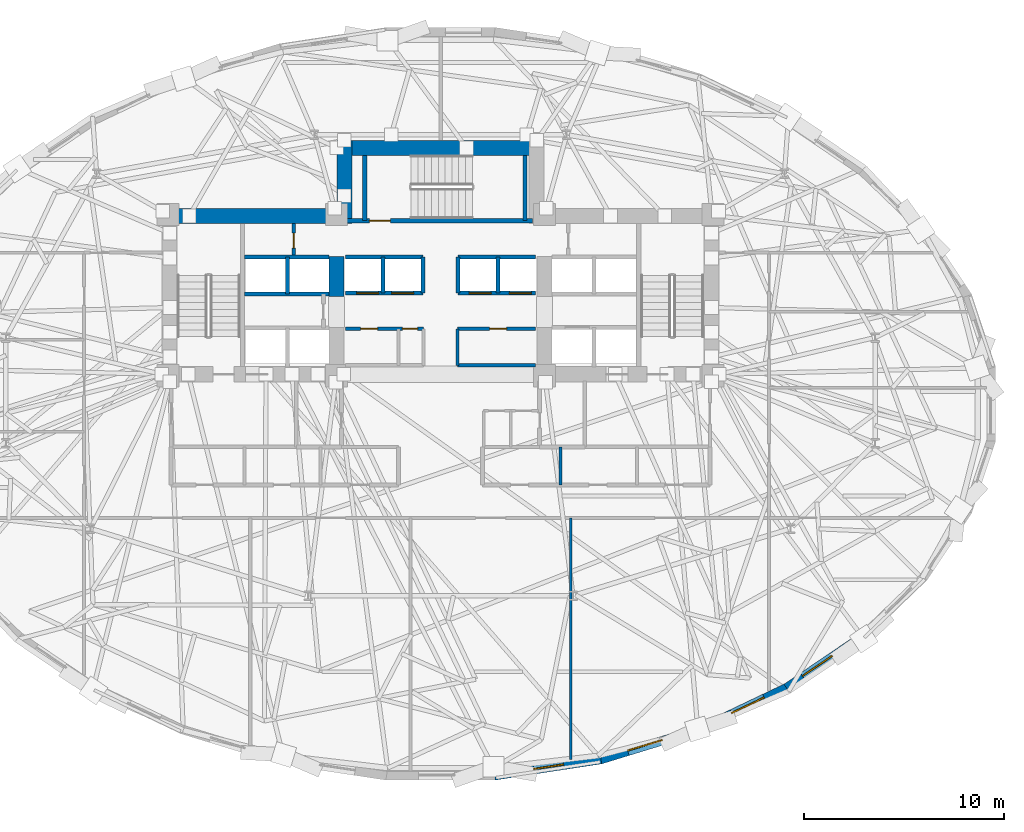
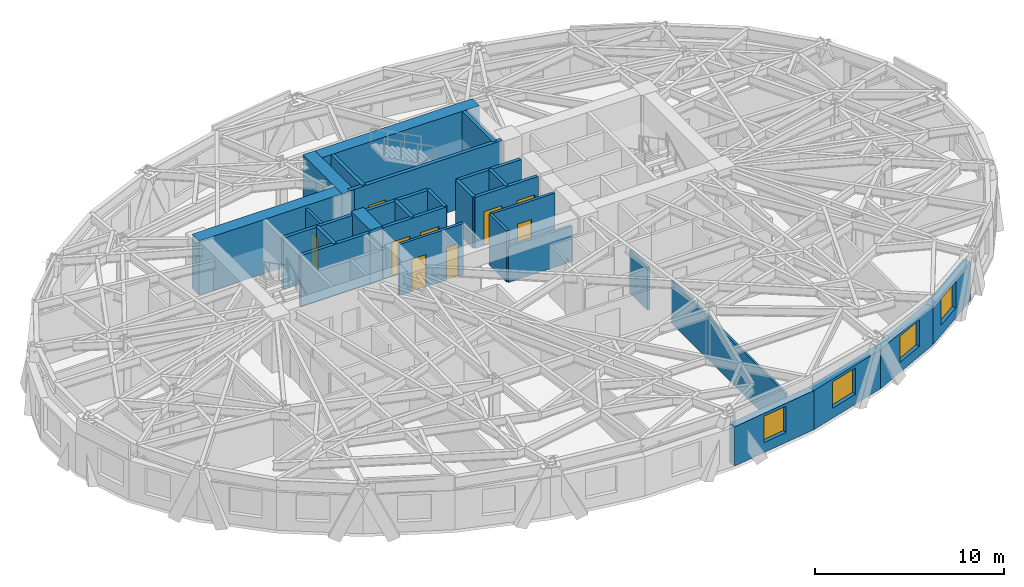
# One storey, part 8 of 15: 29 walls, 9 doors, 4 windows, 13 openings.
"""IFC4 building model written with IfcOpenShell, lengths in metres."""

from ifc_helpers import new_model, si_unit, direction, frame, frame_2d, origin, place, context, subcontext, project, spatial, rectangle, extrude, material, layer, layer_set, type_object, element, fill, save


model = new_model("IFC4")

# Units and contexts
model_context = context("Model", 3, precision=1e-05, world=origin(), true_north=direction((0.0, 1.0)))
body_context = subcontext(model_context, "Body", "Model", "MODEL_VIEW")
ifc_project = project(units=[si_unit("LENGTHUNIT", "METRE"), si_unit("AREAUNIT", "SQUARE_METRE"), si_unit("VOLUMEUNIT", "CUBIC_METRE"), si_unit("PLANEANGLEUNIT", "RADIAN"), si_unit("MASSUNIT", "GRAM", prefix="KILO")], contexts=[model_context])

# Site, building, storey
site_placement = place(None, origin())
site = spatial("IfcSite", under=ifc_project, at=site_placement, CompositionType="ELEMENT")
building_placement = place(site_placement, origin())
building = spatial("IfcBuilding", under=site, at=building_placement, Name="Keldmark Tower", CompositionType="ELEMENT")
storey_placement = place(building_placement, frame((0.0, 0.0, 110.60009765625)))
storey = spatial("IfcBuildingStorey", under=building, at=storey_placement, Name="L29", CompositionType="ELEMENT", Elevation=110.60009765625)

# Walls
ifc_material_1 = material(Name="Acoustic Gypsum Board Interior Partition", Category="gypsum")
ifc_layer_1 = layer(ifc_material_1, 0.1298828125)
ifc_layer_set_1 = layer_set([ifc_layer_1], Name="Acoustic Gypsum Board Interior Partition")
wall_type_1 = type_object("IfcWallType", Name="Interior Partition 130 mm", PredefinedType="PARTITIONING", material=ifc_layer_set_1)
wall_1_placement = place(storey_placement, frame((6.5, -17.76171875, 0.0), z_axis=(0.0, 0.0, 1.0), x_axis=(0.0, 1.0, 0.0)))
element("IfcWall", 1, at=wall_1_placement, inside=storey, type_object=wall_type_1, Name="L29 Interior Partition 130 mm S-DIV-3", PredefinedType="PARTITIONING", context=body_context, shape_type="SweptSolid", body=[
    extrude(rectangle(XDim=12.061767578125, YDim=0.1298828125, at=frame_2d((6.03076171875, 0.0))), origin(), (0.0, 0.0, 1.0), 2.762939453125),
])
ifc_material_2 = material(Name="Concrete C70/85", Category="concrete")
ifc_layer_2 = layer(ifc_material_2, 0.75)
ifc_layer_set_2 = layer_set([ifc_layer_2], Name="Concrete C70/85")
wall_type_2 = type_object("IfcWallType", Name="Low-Mid Core Shear Wall 750 mm", PredefinedType="SHEAR", material=ifc_layer_set_2)
wall_2_placement = place(storey_placement, frame((-13.89990234375, 9.375, 0.0), z_axis=(0.0, 0.0, 1.0), x_axis=(1.0, 0.0, 0.0)))
element("IfcWall", 2, at=wall_2_placement, inside=storey, type_object=wall_type_2, Name="L29 West Core North Shear Wall", PredefinedType="SHEAR", context=body_context, shape_type="SweptSolid", body=[
    extrude(rectangle(XDim=9.474853515625, YDim=0.75, at=frame_2d((4.7373046875, 0.0))), origin(), (0.0, 0.0, 1.0), 3.5),
])
wall_3_placement = place(storey_placement, frame((-5.199951171875, 5.35009765625, 0.0), z_axis=(0.0, 0.0, 1.0), x_axis=(0.0, 1.0, 0.0)))
element("IfcWall", 3, at=wall_3_placement, inside=storey, type_object=wall_type_2, Name="L29 West Core Inner Shear Pier North", PredefinedType="SHEAR", context=body_context, shape_type="SweptSolid", body=[
    extrude(rectangle(XDim=2.0, YDim=0.75, at=frame_2d((1.0, 0.0))), origin(), (0.0, 0.0, 1.0), 3.5),
])
wall_4_placement = place(storey_placement, frame((-5.175048828125, 12.77490234375, 0.0), z_axis=(0.0, 0.0, 1.0), x_axis=(1.0, 0.0, 0.0)))
element("IfcWall", 4, at=wall_4_placement, inside=storey, type_object=wall_type_2, Name="L29 North Core Shear Wall", PredefinedType="SHEAR", context=body_context, shape_type="SweptSolid", body=[
    extrude(rectangle(XDim=10.35009765625, YDim=0.75, at=frame_2d((5.175048828125, 0.0))), origin(), (0.0, 0.0, 1.0), 3.5),
])
wall_5_placement = place(storey_placement, frame((-4.800048828125, 9.0, 0.0), z_axis=(0.0, 0.0, 1.0), x_axis=(0.0, 1.0, 0.0)))
element("IfcWall", 5, at=wall_5_placement, inside=storey, type_object=wall_type_2, Name="L29 North Core West Shear Wall", PredefinedType="SHEAR", context=body_context, shape_type="SweptSolid", body=[
    extrude(rectangle(XDim=4.14990234375, YDim=0.75, at=frame_2d((2.074951171875, 0.0))), origin(), (0.0, 0.0, 1.0), 3.5),
])

# Wall, openings, doors
ifc_material_3 = material(Name="Type X Fire-Rated Gypsum Partition Assembly", Category="gypsum")
ifc_layer_3 = layer(ifc_material_3, 0.1650390625)
ifc_layer_set_3 = layer_set([ifc_layer_3], Name="Type X Fire-Rated Gypsum Partition Assembly")
wall_type_3 = type_object("IfcWallType", Name="Rated Partition 165 mm", PredefinedType="PARTITIONING", material=ifc_layer_set_3)
wall_6_placement = place(storey_placement, frame((-4.739990234375, 3.739990234375, 0.0), z_axis=(0.0, 0.0, 1.0), x_axis=(1.0, 0.0, 0.0)))
wall_6 = element("IfcWall", 6, at=wall_6_placement, inside=storey, type_object=wall_type_3, Name="L29 Rated Partition 165 mm REC-LW-N", PredefinedType="PARTITIONING", context=body_context, shape_type="SweptSolid", body=[
    extrude(rectangle(XDim=3.889892578125, YDim=0.1650390625, at=frame_2d((1.94482421875, 0.0))), origin(), (0.0, 0.0, 1.0), 3.309814453125),
])
opening_1_placement = place(wall_6_placement, frame((0.75, 0.0, 0.0)))
opening_1 = element("IfcOpeningElement", 7, at=opening_1_placement, cuts=wall_6, Name="Opening D-SV085", PredefinedType="OPENING", context=body_context, shape_type="SweptSolid", body=[
    extrude(rectangle(XDim=0.85009765625, YDim=2.10009765625, at=frame_2d((0.425048828125, 1.050048828125))), frame((0.0, 0.092529296875, 0.0), z_axis=(0.0, -1.0, 0.0), x_axis=(1.0, 0.0, 0.0)), (0.0, 0.0, 1.0), 0.18505859375),
])
opening_2_placement = place(wall_6_placement, frame((2.840087890625, 0.0, 0.0)))
opening_2 = element("IfcOpeningElement", 8, at=opening_2_placement, cuts=wall_6, Name="Opening D-RS075", PredefinedType="OPENING", context=body_context, shape_type="SweptSolid", body=[
    extrude(rectangle(XDim=0.75, YDim=2.10009765625, at=frame_2d((0.375, 1.050048828125))), frame((0.0, 0.092529296875, 0.0), z_axis=(0.0, -1.0, 0.0), x_axis=(1.0, 0.0, 0.0)), (0.0, 0.0, 1.0), 0.18505859375),
])
ifc_material_4 = material(Name="Galvanized Fire-Rated Access Leaf", Category="metal")
door_type_1 = type_object("IfcDoorType", Name="Riser Access Door 750x2100", OperationType="NOTDEFINED", PredefinedType="DOOR", material=ifc_material_4)
door_1_placement = place(opening_2_placement, origin())
door_1 = element("IfcDoor", 9, at=door_1_placement, inside=storey, type_object=door_type_1, Name="L29 Riser Access Door 750x2100 D-RECLW2-L29", OperationType="SINGLE_SWING_RIGHT", OverallHeight=2.10009765625, OverallWidth=0.75, PredefinedType="DOOR", context=body_context, shape_type="SweptSolid", body=[
    extrude(rectangle(XDim=0.75, YDim=2.10009765625, at=frame_2d((0.375, 1.050048828125))), frame((0.0, 0.02490234375, 0.0), z_axis=(0.0, -1.0, 0.0), x_axis=(1.0, 0.0, 0.0)), (0.0, 0.0, 1.0), 0.050048828125),
])
fill(opening_2, door_1)
ifc_material_5 = material(Name="Painted Hollow Metal Door Assembly", Category="metal")
door_type_2 = type_object("IfcDoorType", Name="Service Door 850x2100", OperationType="NOTDEFINED", PredefinedType="DOOR", material=ifc_material_5)
door_2_placement = place(opening_1_placement, origin())
door_2 = element("IfcDoor", 10, at=door_2_placement, inside=storey, type_object=door_type_2, Name="L29 Service Door 850x2100 D-RECLW1-L29", OperationType="SINGLE_SWING_LEFT", OverallHeight=2.10009765625, OverallWidth=0.85009765625, PredefinedType="DOOR", context=body_context, shape_type="SweptSolid", body=[
    extrude(rectangle(XDim=0.85009765625, YDim=2.10009765625, at=frame_2d((0.425048828125, 1.050048828125))), frame((0.0, 0.02490234375, 0.0), z_axis=(0.0, -1.0, 0.0), x_axis=(1.0, 0.0, 0.0)), (0.0, 0.0, 1.0), 0.050048828125),
])
fill(opening_1, door_2)

# Wall
wall_7_placement = place(storey_placement, frame((0.85009765625, 1.919921875, 0.0), z_axis=(0.0, 0.0, 1.0), x_axis=(1.0, 0.0, 0.0)))
element("IfcWall", 11, at=wall_7_placement, inside=storey, type_object=wall_type_3, Name="L29 Rated Partition 165 mm REC-LE-S", PredefinedType="PARTITIONING", context=body_context, shape_type="SweptSolid", body=[
    extrude(rectangle(XDim=3.889892578125, YDim=0.1650390625, at=frame_2d((1.94482421875, 0.0))), origin(), (0.0, 0.0, 1.0), 2.2998046875),
])

# Wall, opening, door
wall_8_placement = place(storey_placement, frame((0.85009765625, 3.739990234375, 0.0), z_axis=(0.0, 0.0, 1.0), x_axis=(1.0, 0.0, 0.0)))
wall_8 = element("IfcWall", 12, at=wall_8_placement, inside=storey, type_object=wall_type_3, Name="L29 Rated Partition 165 mm REC-LE-N", PredefinedType="PARTITIONING", context=body_context, shape_type="SweptSolid", body=[
    extrude(rectangle(XDim=3.889892578125, YDim=0.1650390625, at=frame_2d((1.94482421875, 0.0))), origin(), (0.0, 0.0, 1.0), 3.309814453125),
])
opening_3_placement = place(wall_8_placement, frame((1.60009765625, 0.0, 0.0)))
opening_3 = element("IfcOpeningElement", 13, at=opening_3_placement, cuts=wall_8, Name="Opening D-SV085", PredefinedType="OPENING", context=body_context, shape_type="SweptSolid", body=[
    extrude(rectangle(XDim=0.85009765625, YDim=2.10009765625, at=frame_2d((0.425048828125, 1.050048828125))), frame((0.0, 0.092529296875, 0.0), z_axis=(0.0, -1.0, 0.0), x_axis=(1.0, 0.0, 0.0)), (0.0, 0.0, 1.0), 0.18505859375),
])
door_3_placement = place(opening_3_placement, origin())
door_3 = element("IfcDoor", 14, at=door_3_placement, inside=storey, type_object=door_type_2, Name="L29 Service Door 850x2100 D-RECLE1-L29", OperationType="SINGLE_SWING_LEFT", OverallHeight=2.10009765625, OverallWidth=0.85009765625, PredefinedType="DOOR", context=body_context, shape_type="SweptSolid", body=[
    extrude(rectangle(XDim=0.85009765625, YDim=2.10009765625, at=frame_2d((0.425048828125, 1.050048828125))), frame((0.0, 0.02490234375, 0.0), z_axis=(0.0, -1.0, 0.0), x_axis=(1.0, 0.0, 0.0)), (0.0, 0.0, 1.0), 0.050048828125),
])
fill(opening_3, door_3)

# Wall
wall_9_placement = place(storey_placement, frame((0.85009765625, 1.919921875, 0.0), z_axis=(0.0, 0.0, 1.0), x_axis=(0.0, 1.0, 0.0)))
element("IfcWall", 15, at=wall_9_placement, inside=storey, type_object=wall_type_3, Name="L29 Rated Partition 165 mm REC-LE-W", PredefinedType="PARTITIONING", context=body_context, shape_type="SweptSolid", body=[
    extrude(rectangle(XDim=1.820068359375, YDim=0.1650390625, at=frame_2d((0.91015625, 0.0))), origin(), (0.0, 0.0, 1.0), 3.309814453125),
])

# Wall, opening, door
wall_10_placement = place(storey_placement, frame((-7.330078125, 7.419921875, 0.0), z_axis=(0.0, 0.0, 1.0), x_axis=(0.0, 1.0, 0.0)))
wall_10 = element("IfcWall", 16, at=wall_10_placement, inside=storey, type_object=wall_type_3, Name="L29 Rated Partition 165 mm CS-NW-E", PredefinedType="PARTITIONING", context=body_context, shape_type="SweptSolid", body=[
    extrude(rectangle(XDim=1.580078125, YDim=0.1650390625, at=frame_2d((0.7900390625, 0.0))), origin(), (0.0, 0.0, 1.0), 3.309814453125),
])
opening_4_placement = place(wall_10_placement, frame((0.35009765625, 0.0, 0.0)))
opening_4 = element("IfcOpeningElement", 17, at=opening_4_placement, cuts=wall_10, Name="Opening D-RS075", PredefinedType="OPENING", context=body_context, shape_type="SweptSolid", body=[
    extrude(rectangle(XDim=0.75, YDim=2.10009765625, at=frame_2d((0.375, 1.050048828125))), frame((0.0, 0.092529296875, 0.0), z_axis=(0.0, -1.0, 0.0), x_axis=(1.0, 0.0, 0.0)), (0.0, 0.0, 1.0), 0.18505859375),
])
door_4_placement = place(opening_4_placement, origin())
door_4 = element("IfcDoor", 18, at=door_4_placement, inside=storey, type_object=door_type_1, Name="L29 Riser Access Door 750x2100 D-CSNW1-L29", OperationType="SINGLE_SWING_RIGHT", OverallHeight=2.10009765625, OverallWidth=0.75, PredefinedType="DOOR", context=body_context, shape_type="SweptSolid", body=[
    extrude(rectangle(XDim=0.75, YDim=2.10009765625, at=frame_2d((0.375, 1.050048828125))), frame((0.0, 0.02490234375, 0.0), z_axis=(0.0, -1.0, 0.0), x_axis=(1.0, 0.0, 0.0)), (0.0, 0.0, 1.0), 0.050048828125),
])
fill(opening_4, door_4)

# Walls
ifc_material_6 = material(Name="Fire-Resistant Type X Gypsum Shaftliner Coreboard", Category="gypsum")
ifc_layer_4 = layer(ifc_material_6, 0.199951171875)
ifc_layer_set_4 = layer_set([ifc_layer_4], Name="Fire-Resistant Type X Gypsum Shaftliner Coreboard")
wall_type_4 = type_object("IfcWallType", Name="Shaft Wall 200 mm", PredefinedType="SOLIDWALL", material=ifc_layer_set_4)
for number, where, z_axis, x_axis, name in (
    (19, (-9.780029296875, 5.469970703125, 0.0), (0.0, 0.0, 1.0), (1.0, 0.0, 0.0), "L29 Shaft Wall 200 mm HW-W-N"),
    (20, (-9.780029296875, 7.330078125, 0.0), (0.0, 0.0, 1.0), (1.0, 0.0, 0.0), "L29 Shaft Wall 200 mm HW-W-TOP"),
):
    element("IfcWall", number, at=place(storey_placement, frame(where, z_axis=z_axis, x_axis=x_axis)), inside=storey, type_object=wall_type_4, Name=name, PredefinedType="SOLIDWALL", context=body_context, shape_type="SweptSolid", body=[
        extrude(rectangle(XDim=4.205078125, YDim=0.199951171875, at=frame_2d((2.1025390625, 0.0))), origin(), (0.0, 0.0, 1.0), 3.309814453125),
    ])
wall_11_placement = place(storey_placement, frame((-7.64990234375, 5.469970703125, 0.0), z_axis=(0.0, 0.0, 1.0), x_axis=(0.0, 1.0, 0.0)))
element("IfcWall", 21, at=wall_11_placement, inside=storey, type_object=wall_type_4, Name="L29 Shaft Wall 200 mm HW-W-NM", PredefinedType="SOLIDWALL", context=body_context, shape_type="SweptSolid", body=[
    extrude(rectangle(XDim=1.860107421875, YDim=0.199951171875, at=frame_2d((0.93017578125, 0.0))), origin(), (0.0, 0.0, 1.0), 3.309814453125),
])

# Wall, openings, doors
wall_12_placement = place(storey_placement, frame((-4.739990234375, 5.52001953125, 0.0), z_axis=(0.0, 0.0, 1.0), x_axis=(1.0, 0.0, 0.0)))
wall_12 = element("IfcWall", 22, at=wall_12_placement, inside=storey, type_object=wall_type_4, Name="L29 Shaft Wall 200 mm MID-S-W", PredefinedType="SOLIDWALL", context=body_context, shape_type="SweptSolid", body=[
    extrude(rectangle(XDim=3.860107421875, YDim=0.199951171875, at=frame_2d((1.93017578125, 0.0))), origin(), (0.0, 0.0, 1.0), 3.309814453125),
])
opening_5_placement = place(wall_12_placement, frame((0.550048828125, 0.0, 0.0)))
opening_5 = element("IfcOpeningElement", 23, at=opening_5_placement, cuts=wall_12, Name="Opening LD-110", PredefinedType="OPENING", context=body_context, shape_type="SweptSolid", body=[
    extrude(rectangle(XDim=1.10009765625, YDim=2.199951171875, at=frame_2d((0.550048828125, 1.10009765625))), frame((0.0, 0.10986328125, 0.0), z_axis=(0.0, -1.0, 0.0), x_axis=(1.0, 0.0, 0.0)), (0.0, 0.0, 1.0), 0.219970703125),
])
opening_6_placement = place(wall_12_placement, frame((2.300048828125, 0.0, 0.0)))
opening_6 = element("IfcOpeningElement", 24, at=opening_6_placement, cuts=wall_12, Name="Opening LD-110", PredefinedType="OPENING", context=body_context, shape_type="SweptSolid", body=[
    extrude(rectangle(XDim=1.10009765625, YDim=2.199951171875, at=frame_2d((0.550048828125, 1.10009765625))), frame((0.0, 0.10986328125, 0.0), z_axis=(0.0, -1.0, 0.0), x_axis=(1.0, 0.0, 0.0)), (0.0, 0.0, 1.0), 0.219970703125),
])
ifc_material_7 = material(Name="Brushed Bronze Hoistway Sliding Leaf", Category="metal")
door_type_3 = type_object("IfcDoorType", Name="Lift Landing Sliding Door 1100x2200", OperationType="SLIDING_TO_LEFT", PredefinedType="DOOR", material=ifc_material_7)
door_5_placement = place(opening_5_placement, origin())
door_5 = element("IfcDoor", 25, at=door_5_placement, inside=storey, type_object=door_type_3, Name="L29 Lift Landing Sliding Door 1100x2200 LD-EL-M1-L29", OperationType="SLIDING_TO_LEFT", OverallHeight=2.199951171875, OverallWidth=1.10009765625, PredefinedType="DOOR", context=body_context, shape_type="SweptSolid", body=[
    extrude(rectangle(XDim=1.10009765625, YDim=2.199951171875, at=frame_2d((0.550048828125, 1.10009765625))), frame((0.0, 0.02490234375, 0.0), z_axis=(0.0, -1.0, 0.0), x_axis=(1.0, 0.0, 0.0)), (0.0, 0.0, 1.0), 0.050048828125),
])
fill(opening_5, door_5)
door_6_placement = place(opening_6_placement, origin())
door_6 = element("IfcDoor", 26, at=door_6_placement, inside=storey, type_object=door_type_3, Name="L29 Lift Landing Sliding Door 1100x2200 LD-EL-M2-L29", OperationType="SLIDING_TO_LEFT", OverallHeight=2.199951171875, OverallWidth=1.10009765625, PredefinedType="DOOR", context=body_context, shape_type="SweptSolid", body=[
    extrude(rectangle(XDim=1.10009765625, YDim=2.199951171875, at=frame_2d((0.550048828125, 1.10009765625))), frame((0.0, 0.02490234375, 0.0), z_axis=(0.0, -1.0, 0.0), x_axis=(1.0, 0.0, 0.0)), (0.0, 0.0, 1.0), 0.050048828125),
])
fill(opening_6, door_6)

wall_13_placement = place(storey_placement, frame((0.8798828125, 5.52001953125, 0.0), z_axis=(0.0, 0.0, 1.0), x_axis=(1.0, 0.0, 0.0)))
wall_13 = element("IfcWall", 27, at=wall_13_placement, inside=storey, type_object=wall_type_4, Name="L29 Shaft Wall 200 mm MID-S-E", PredefinedType="SOLIDWALL", context=body_context, shape_type="SweptSolid", body=[
    extrude(rectangle(XDim=3.860107421875, YDim=0.199951171875, at=frame_2d((1.93017578125, 0.0))), origin(), (0.0, 0.0, 1.0), 3.309814453125),
])
opening_7_placement = place(wall_13_placement, frame((0.550048828125, 0.0, 0.0)))
opening_7 = element("IfcOpeningElement", 28, at=opening_7_placement, cuts=wall_13, Name="Opening LD-110", PredefinedType="OPENING", context=body_context, shape_type="SweptSolid", body=[
    extrude(rectangle(XDim=1.10009765625, YDim=2.199951171875, at=frame_2d((0.550048828125, 1.10009765625))), frame((0.0, 0.10986328125, 0.0), z_axis=(0.0, -1.0, 0.0), x_axis=(1.0, 0.0, 0.0)), (0.0, 0.0, 1.0), 0.219970703125),
])
opening_8_placement = place(wall_13_placement, frame((2.550048828125, 0.0, 0.0)))
opening_8 = element("IfcOpeningElement", 29, at=opening_8_placement, cuts=wall_13, Name="Opening LD-110", PredefinedType="OPENING", context=body_context, shape_type="SweptSolid", body=[
    extrude(rectangle(XDim=1.10009765625, YDim=2.199951171875, at=frame_2d((0.550048828125, 1.10009765625))), frame((0.0, 0.10986328125, 0.0), z_axis=(0.0, -1.0, 0.0), x_axis=(1.0, 0.0, 0.0)), (0.0, 0.0, 1.0), 0.219970703125),
])
door_7_placement = place(opening_7_placement, origin())
door_7 = element("IfcDoor", 30, at=door_7_placement, inside=storey, type_object=door_type_3, Name="L29 Lift Landing Sliding Door 1100x2200 LD-EL-M3-L29", OperationType="SLIDING_TO_LEFT", OverallHeight=2.199951171875, OverallWidth=1.10009765625, PredefinedType="DOOR", context=body_context, shape_type="SweptSolid", body=[
    extrude(rectangle(XDim=1.10009765625, YDim=2.199951171875, at=frame_2d((0.550048828125, 1.10009765625))), frame((0.0, 0.02490234375, 0.0), z_axis=(0.0, -1.0, 0.0), x_axis=(1.0, 0.0, 0.0)), (0.0, 0.0, 1.0), 0.050048828125),
])
fill(opening_7, door_7)
door_8_placement = place(opening_8_placement, origin())
door_8 = element("IfcDoor", 31, at=door_8_placement, inside=storey, type_object=door_type_3, Name="L29 Lift Landing Sliding Door 1100x2200 LD-EL-M4-L29", OperationType="SLIDING_TO_LEFT", OverallHeight=2.199951171875, OverallWidth=1.10009765625, PredefinedType="DOOR", context=body_context, shape_type="SweptSolid", body=[
    extrude(rectangle(XDim=1.10009765625, YDim=2.199951171875, at=frame_2d((0.550048828125, 1.10009765625))), frame((0.0, 0.02490234375, 0.0), z_axis=(0.0, -1.0, 0.0), x_axis=(1.0, 0.0, 0.0)), (0.0, 0.0, 1.0), 0.050048828125),
])
fill(opening_8, door_8)

# Walls
for number, where, z_axis, x_axis, name in (
    (32, (-4.739990234375, 7.330078125, 0.0), (0.0, 0.0, 1.0), (1.0, 0.0, 0.0), "L29 Shaft Wall 200 mm MID-N-W"),
    (33, (0.8798828125, 7.330078125, 0.0), (0.0, 0.0, 1.0), (1.0, 0.0, 0.0), "L29 Shaft Wall 200 mm MID-N-E"),
):
    element("IfcWall", number, at=place(storey_placement, frame(where, z_axis=z_axis, x_axis=x_axis)), inside=storey, type_object=wall_type_4, Name=name, PredefinedType="SOLIDWALL", context=body_context, shape_type="SweptSolid", body=[
        extrude(rectangle(XDim=3.860107421875, YDim=0.199951171875, at=frame_2d((1.93017578125, 0.0))), origin(), (0.0, 0.0, 1.0), 3.309814453125),
    ])
for number, where, z_axis, x_axis, name in (
    (34, (-2.8798828125, 5.52001953125, 0.0), (0.0, 0.0, 1.0), (0.0, 1.0, 0.0), "L29 Shaft Wall 200 mm MID-M-W"),
    (35, (2.8798828125, 5.52001953125, 0.0), (0.0, 0.0, 1.0), (0.0, 1.0, 0.0), "L29 Shaft Wall 200 mm MID-M-E"),
    (36, (-0.8798828125, 5.52001953125, 0.0), (0.0, 0.0, 1.0), (0.0, 1.0, 0.0), "L29 Shaft Wall 200 mm MID-C-W"),
    (37, (0.8798828125, 5.52001953125, 0.0), (0.0, 0.0, 1.0), (0.0, 1.0, 0.0), "L29 Shaft Wall 200 mm MID-C-E"),
):
    element("IfcWall", number, at=place(storey_placement, frame(where, z_axis=z_axis, x_axis=x_axis)), inside=storey, type_object=wall_type_4, Name=name, PredefinedType="SOLIDWALL", context=body_context, shape_type="SweptSolid", body=[
        extrude(rectangle(XDim=1.81005859375, YDim=0.199951171875, at=frame_2d((0.905029296875, 0.0))), origin(), (0.0, 0.0, 1.0), 3.309814453125),
    ])

# Wall, opening, door
ifc_material_8 = material(Name="Concrete C50/60", Category="concrete")
ifc_layer_5 = layer(ifc_material_8, 0.219970703125)
ifc_layer_set_5 = layer_set([ifc_layer_5], Name="Concrete C50/60")
wall_type_5 = type_object("IfcWallType", Name="Stair Core Shear Wall 220 mm", PredefinedType="SHEAR", material=ifc_layer_set_5)
wall_14_placement = place(storey_placement, frame((-4.699951171875, 9.139892578125, 0.0), z_axis=(0.0, 0.0, 1.0), x_axis=(1.0, 0.0, 0.0)))
wall_14 = element("IfcWall", 38, at=wall_14_placement, inside=storey, type_object=wall_type_5, Name="L29 Central Stair Core South Shear Wall", PredefinedType="SHEAR", context=body_context, shape_type="SweptSolid", body=[
    extrude(rectangle(XDim=9.300048828125, YDim=0.219970703125, at=frame_2d((4.64990234375, 0.0))), origin(), (0.0, 0.0, 1.0), 3.5),
])
opening_9_placement = place(wall_14_placement, frame((1.14990234375, 0.0, 0.0)))
opening_9 = element("IfcOpeningElement", 39, at=opening_9_placement, cuts=wall_14, Name="Opening D-ST105", PredefinedType="OPENING", context=body_context, shape_type="SweptSolid", body=[
    extrude(rectangle(XDim=1.050048828125, YDim=2.14990234375, at=frame_2d((0.52490234375, 1.074951171875))), frame((0.0, 0.119873046875, 0.0), z_axis=(0.0, -1.0, 0.0), x_axis=(1.0, 0.0, 0.0)), (0.0, 0.0, 1.0), 0.239990234375),
])
ifc_material_9 = material(Name="Hollow Metal Fire-Rated Door Assembly", Category="metal")
door_type_4 = type_object("IfcDoorType", Name="Stair Fire Door 1050x2150", OperationType="NOTDEFINED", PredefinedType="DOOR", material=ifc_material_9)
door_9_placement = place(opening_9_placement, origin())
door_9 = element("IfcDoor", 40, at=door_9_placement, inside=storey, type_object=door_type_4, Name="L29 Stair Fire Door 1050x2150 D-ST3-L29", OperationType="SINGLE_SWING_RIGHT", OverallHeight=2.14990234375, OverallWidth=1.050048828125, PredefinedType="DOOR", context=body_context, shape_type="SweptSolid", body=[
    extrude(rectangle(XDim=1.050048828125, YDim=2.14990234375, at=frame_2d((0.52490234375, 1.074951171875))), frame((0.0, 0.02490234375, 0.0), z_axis=(0.0, -1.0, 0.0), x_axis=(1.0, 0.0, 0.0)), (0.0, 0.0, 1.0), 0.050048828125),
])
fill(opening_9, door_9)

# Walls
for number, where, z_axis, x_axis, name in (
    (41, (-3.784912109375, 9.139892578125, 0.0), (0.0, 0.0, 1.0), (0.0, 1.0, 0.0), "L29 Central Stair Core West Shear Wall"),
    (42, (4.215087890625, 9.139892578125, 0.0), (0.0, 0.0, 1.0), (0.0, 1.0, 0.0), "L29 Central Stair Core East Shear Wall"),
):
    element("IfcWall", number, at=place(storey_placement, frame(where, z_axis=z_axis, x_axis=x_axis)), inside=storey, type_object=wall_type_5, Name=name, PredefinedType="SHEAR", context=body_context, shape_type="SweptSolid", body=[
        extrude(rectangle(XDim=3.260009765625, YDim=0.219970703125, at=frame_2d((1.6298828125, 0.0))), origin(), (0.0, 0.0, 1.0), 3.5),
    ])

# Wall, opening, window
ifc_material_10 = material(Name="Ironspot Manganese Brick and Kasota Buff Limestone Spandrel Assembly", Category="masonry")
ifc_layer_6 = layer(ifc_material_10, 0.43994140625)
ifc_layer_set_6 = layer_set([ifc_layer_6], Name="Ironspot Manganese Brick and Kasota Buff Limestone Spandrel Assembly")
wall_type_6 = type_object("IfcWallType", Name="Tower Brick Pier and Spandrel Wall 440 mm", PredefinedType="STANDARD", material=ifc_layer_set_6)
wall_15_placement = place(storey_placement, frame((8.012451171875, -17.76220703125, 0.0), z_axis=(0.0, 0.0, 1.0), x_axis=(-0.988627497469, -0.150385076545, 0.0)))
wall_15 = element("IfcWall", 43, at=wall_15_placement, inside=storey, type_object=wall_type_6, Name="L29 Exterior Brick and Spandrel Wall 25", PredefinedType="STANDARD", context=body_context, shape_type="SweptSolid", body=[
    extrude(rectangle(XDim=5.376708984375, YDim=0.43994140625, at=frame_2d((2.6884765625, 0.0))), origin(), (0.0, 0.0, 1.0), 2.52783203125),
])
opening_10_placement = place(wall_15_placement, frame((1.888916015625, 0.0, 0.64990234375)))
opening_10 = element("IfcOpeningElement", 44, at=opening_10_placement, cuts=wall_15, Name="Opening W-03", PredefinedType="OPENING", context=body_context, shape_type="SweptSolid", body=[
    extrude(rectangle(XDim=1.5, YDim=1.699951171875, at=frame_2d((0.75, 0.85009765625))), frame((0.0, 0.22998046875, 0.0), z_axis=(0.0, -1.0, 0.0), x_axis=(1.0, 0.0, 0.0)), (0.0, 0.0, 1.0), 0.4599609375),
])
ifc_material_11 = material(Name="Thermally Broken Anodized Aluminum and Triple Low-E Argon Glazing", Category="aluminium")
window_type_1 = type_object("IfcWindowType", Name="Office Corner Deep-Set Window 1500x1700", PartitioningType="DOUBLE_PANEL_VERTICAL", PredefinedType="WINDOW", material=ifc_material_11)
window_1_placement = place(opening_10_placement, origin())
window_1 = element("IfcWindow", 45, at=window_1_placement, inside=storey, type_object=window_type_1, Name="L29 Deep-Set Window 25", OverallHeight=1.699951171875, OverallWidth=1.5, PartitioningType="SINGLE_PANEL", PredefinedType="WINDOW", context=body_context, shape_type="SweptSolid", body=[
    extrude(rectangle(XDim=1.5, YDim=1.699951171875, at=frame_2d((0.75, 0.85009765625))), frame((0.0, -0.010009765625, 0.0), z_axis=(0.0, -1.0, 0.0), x_axis=(1.0, 0.0, 0.0)), (0.0, 0.0, 1.0), 0.06005859375),
])
fill(opening_10, window_1)

wall_16_placement = place(storey_placement, frame((12.92041015625, -16.2578125, 0.0), z_axis=(0.0, 0.0, 1.0), x_axis=(-0.956228569431, -0.292620783617, 0.0)))
wall_16 = element("IfcWall", 46, at=wall_16_placement, inside=storey, type_object=wall_type_6, Name="L29 Exterior Brick and Spandrel Wall 26", PredefinedType="STANDARD", context=body_context, shape_type="SweptSolid", body=[
    extrude(rectangle(XDim=5.165283203125, YDim=0.43994140625, at=frame_2d((2.58251953125, 0.0))), origin(), (0.0, 0.0, 1.0), 2.52783203125),
])
opening_11_placement = place(wall_16_placement, frame((1.9296875, 0.0, 0.64990234375)))
opening_11 = element("IfcOpeningElement", 47, at=opening_11_placement, cuts=wall_16, Name="Opening W-02", PredefinedType="OPENING", context=body_context, shape_type="SweptSolid", body=[
    extrude(rectangle(XDim=1.800048828125, YDim=1.699951171875, at=frame_2d((0.89990234375, 0.85009765625))), frame((0.0, 0.22998046875, 0.0), z_axis=(0.0, -1.0, 0.0), x_axis=(1.0, 0.0, 0.0)), (0.0, 0.0, 1.0), 0.4599609375),
])
ifc_material_12 = material(Name="Thermally Broken Anodized Aluminum and Triple Low-E Argon Glazing", Category="aluminium")
window_type_2 = type_object("IfcWindowType", Name="Office Deep-Set Triple Window 1800x1700", PartitioningType="TRIPLE_PANEL_VERTICAL", PredefinedType="WINDOW", material=ifc_material_12)
window_2_placement = place(opening_11_placement, origin())
window_2 = element("IfcWindow", 48, at=window_2_placement, inside=storey, type_object=window_type_2, Name="L29 Deep-Set Window 26", OverallHeight=1.699951171875, OverallWidth=1.800048828125, PartitioningType="SINGLE_PANEL", PredefinedType="WINDOW", context=body_context, shape_type="SweptSolid", body=[
    extrude(rectangle(XDim=1.800048828125, YDim=1.699951171875, at=frame_2d((0.89990234375, 0.85009765625))), frame((0.0, -0.010009765625, 0.0), z_axis=(0.0, -1.0, 0.0), x_axis=(1.0, 0.0, 0.0)), (0.0, 0.0, 1.0), 0.06005859375),
])
fill(opening_11, window_2)

wall_17_placement = place(storey_placement, frame((17.294921875, -14.165771484375, 0.0), z_axis=(0.0, 0.0, 1.0), x_axis=(-0.902372757907, -0.430956385018, 0.0)))
wall_17 = element("IfcWall", 49, at=wall_17_placement, inside=storey, type_object=wall_type_6, Name="L29 Exterior Brick and Spandrel Wall 27", PredefinedType="STANDARD", context=body_context, shape_type="SweptSolid", body=[
    extrude(rectangle(XDim=4.881591796875, YDim=0.43994140625, at=frame_2d((2.44091796875, 0.0))), origin(), (0.0, 0.0, 1.0), 2.52783203125),
])
opening_12_placement = place(wall_17_placement, frame((1.242919921875, 0.0, 0.64990234375)))
opening_12 = element("IfcOpeningElement", 50, at=opening_12_placement, cuts=wall_17, Name="Opening W-02", PredefinedType="OPENING", context=body_context, shape_type="SweptSolid", body=[
    extrude(rectangle(XDim=1.800048828125, YDim=1.699951171875, at=frame_2d((0.89990234375, 0.85009765625))), frame((0.0, 0.22998046875, 0.0), z_axis=(0.0, -1.0, 0.0), x_axis=(1.0, 0.0, 0.0)), (0.0, 0.0, 1.0), 0.4599609375),
])
window_3_placement = place(opening_12_placement, origin())
window_3 = element("IfcWindow", 51, at=window_3_placement, inside=storey, type_object=window_type_2, Name="L29 Deep-Set Window 27", OverallHeight=1.699951171875, OverallWidth=1.800048828125, PartitioningType="SINGLE_PANEL", PredefinedType="WINDOW", context=body_context, shape_type="SweptSolid", body=[
    extrude(rectangle(XDim=1.800048828125, YDim=1.699951171875, at=frame_2d((0.89990234375, 0.85009765625))), frame((0.0, -0.010009765625, 0.0), z_axis=(0.0, -1.0, 0.0), x_axis=(1.0, 0.0, 0.0)), (0.0, 0.0, 1.0), 0.06005859375),
])
fill(opening_12, window_3)

wall_18_placement = place(storey_placement, frame((21.066162109375, -11.6064453125, 0.0), z_axis=(0.0, 0.0, 1.0), x_axis=(-0.827754551165, -0.56109036975, 0.0)))
wall_18 = element("IfcWall", 52, at=wall_18_placement, inside=storey, type_object=wall_type_6, Name="L29 Exterior Brick and Spandrel Wall 28", PredefinedType="STANDARD", context=body_context, shape_type="SweptSolid", body=[
    extrude(rectangle(XDim=4.590576171875, YDim=0.43994140625, at=frame_2d((2.29541015625, 0.0))), origin(), (0.0, 0.0, 1.0), 2.52783203125),
])
opening_13_placement = place(wall_18_placement, frame((1.793701171875, 0.0, 0.64990234375)))
opening_13 = element("IfcOpeningElement", 53, at=opening_13_placement, cuts=wall_18, Name="Opening W-02", PredefinedType="OPENING", context=body_context, shape_type="SweptSolid", body=[
    extrude(rectangle(XDim=1.800048828125, YDim=1.699951171875, at=frame_2d((0.89990234375, 0.85009765625))), frame((0.0, 0.22998046875, 0.0), z_axis=(0.0, -1.0, 0.0), x_axis=(1.0, 0.0, 0.0)), (0.0, 0.0, 1.0), 0.4599609375),
])
window_4_placement = place(opening_13_placement, origin())
window_4 = element("IfcWindow", 54, at=window_4_placement, inside=storey, type_object=window_type_2, Name="L29 Deep-Set Window 28", OverallHeight=1.699951171875, OverallWidth=1.800048828125, PartitioningType="SINGLE_PANEL", PredefinedType="WINDOW", context=body_context, shape_type="SweptSolid", body=[
    extrude(rectangle(XDim=1.800048828125, YDim=1.699951171875, at=frame_2d((0.89990234375, 0.85009765625))), frame((0.0, -0.010009765625, 0.0), z_axis=(0.0, -1.0, 0.0), x_axis=(1.0, 0.0, 0.0)), (0.0, 0.0, 1.0), 0.06005859375),
])
fill(opening_13, window_4)

# Wall
ifc_material_13 = material(Name="Moisture-Resistant Gypsum Plumbing Partition", Category="gypsum")
ifc_layer_7 = layer(ifc_material_13, 0.14990234375)
ifc_layer_set_7 = layer_set([ifc_layer_7], Name="Moisture-Resistant Gypsum Plumbing Partition")
wall_type_7 = type_object("IfcWallType", Name="Wet Wall 150 mm", PredefinedType="PLUMBINGWALL", material=ifc_layer_set_7)
wall_19_placement = place(storey_placement, frame((6.0, -4.050048828125, 0.0), z_axis=(0.0, 0.0, 1.0), x_axis=(0.0, 1.0, 0.0)))
element("IfcWall", 55, at=wall_19_placement, inside=storey, type_object=wall_type_7, Name="L29 Wet Wall 150 mm SPK-E-D1", PredefinedType="PLUMBINGWALL", context=body_context, shape_type="SweptSolid", body=[
    extrude(rectangle(XDim=1.900146484375, YDim=0.14990234375, at=frame_2d((0.9501953125, 0.0))), origin(), (0.0, 0.0, 1.0), 2.762939453125),
])

save(model, "model.ifc")
